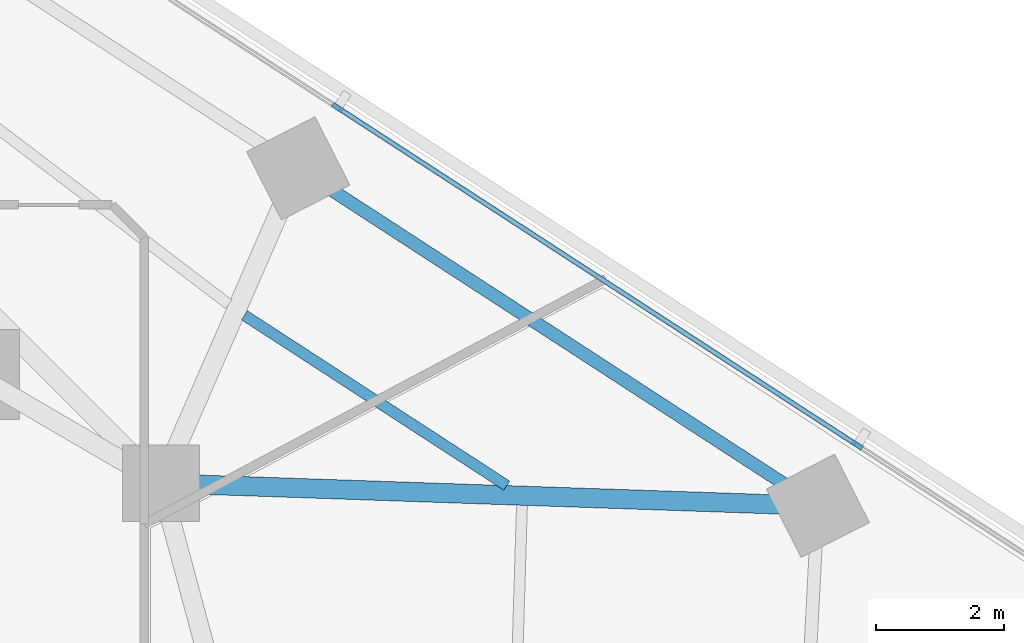
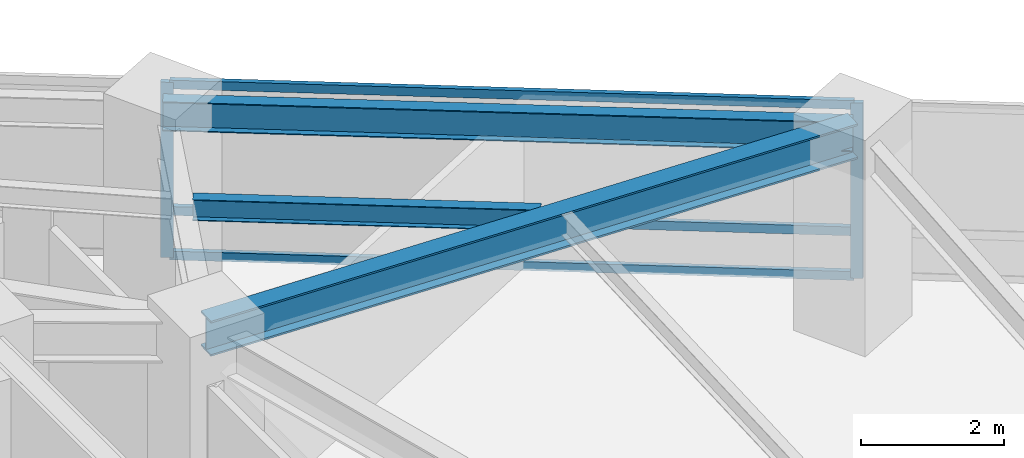
# One storey, part 6 of 14: 5 members, 3 beams, 1 element without a shape of its own.
"""IFC4 building model written with IfcOpenShell, lengths in metres."""

from ifc_helpers import new_model, si_unit, direction, frame, origin, origin_2d, place, context, subcontext, project, spatial, rectangle, i_section, extrude, material, layer, layer_set, material_profile, profile_set, type_object, element, aggregate, save


model = new_model("IFC4")

# Units and contexts
model_context = context("Model", 3, precision=1e-05, world=origin(), true_north=direction((0.0, 1.0)))
body_context = subcontext(model_context, "Body", "Model", "MODEL_VIEW")
ifc_project = project(units=[si_unit("LENGTHUNIT", "METRE"), si_unit("AREAUNIT", "SQUARE_METRE"), si_unit("VOLUMEUNIT", "CUBIC_METRE"), si_unit("PLANEANGLEUNIT", "RADIAN"), si_unit("MASSUNIT", "GRAM", prefix="KILO")], contexts=[model_context])

# Site, building, storey
site_placement = place(None, origin())
site = spatial("IfcSite", under=ifc_project, at=site_placement, CompositionType="ELEMENT")
building_placement = place(site_placement, origin())
building = spatial("IfcBuilding", under=site, at=building_placement, Name="Terralouvre Media Tower", CompositionType="ELEMENT")
storey_placement = place(building_placement, frame((0.0, 0.0, 138.39990234375)))
storey = spatial("IfcBuildingStorey", under=building, at=storey_placement, Name="L35", CompositionType="ELEMENT", Elevation=138.39990234375)

# Beam
ifc_material_1 = material(Name="Structural steel S355J2", Category="steel")
ifc_material_profile_1 = material_profile(ifc_material_1, i_section(OverallWidth=0.169921875, OverallDepth=0.360107421875, WebThickness=0.008056640625, FlangeThickness=0.0126953125, at=origin_2d()), Name="IPE 360")
ifc_profile_set_1 = profile_set([ifc_material_profile_1], Name="Structural steel S355J2")
beam_type_1 = type_object("IfcBeamType", Name="Composite Floor Joist J-IPE360 (IPE 360)", PredefinedType="JOIST", material=ifc_profile_set_1)
beam_1_placement = place(storey_placement, frame((16.31494140625, 6.263916015625, 3.320068359375), z_axis=(-0.838663920822, 0.544649270551, 0.0), x_axis=(-0.544649270551, -0.838663920822, 0.0)))
element("IfcBeam", 1, at=beam_1_placement, inside=storey, type_object=beam_type_1, Name="L35 Framing Beam JT-L35-07", PredefinedType="JOIST", context=body_context, shape_type="SweptSolid", body=[
    extrude(i_section(OverallWidth=0.169921875, OverallDepth=0.360107421875, WebThickness=0.008056640625, FlangeThickness=0.0126953125, at=origin_2d()), origin(), (0.0, 0.0, 1.0), 4.885009765625),
])

# Curtain wall, members
ifc_material_2 = material(Name="Low-iron laminated double glazing with solar-control coating", Category="glass")
ifc_layer = layer(ifc_material_2, 0.1650390625, Name="Production Studio Tower Curtain Wall CW-03")
ifc_layer_set = layer_set([ifc_layer], Name="Low-iron laminated double glazing with solar-control coating")
curtain_wall_type = type_object("IfcCurtainWallType", Name="Production Studio Tower Curtain Wall CW-03", PredefinedType="NOTDEFINED", material=ifc_layer_set)
curtain_wall_placement = place(storey_placement, origin())
curtain_wall = element("IfcCurtainWall", 2, at=curtain_wall_placement, inside=storey, type_object=curtain_wall_type, Name="L35 Facade Curtain Wall F1", PredefinedType="NOTDEFINED")
ifc_material_3 = material(Name="Anodised extruded aluminium 6063-T6", Category="aluminium")
ifc_material_profile_2 = material_profile(ifc_material_3, rectangle(XDim=0.074951171875, YDim=0.14990234375, at=origin_2d()), Name="ALU 75x150")
ifc_profile_set_2 = profile_set([ifc_material_profile_2], Name="Anodised extruded aluminium 6063-T6")
member_type_1 = type_object("IfcMemberType", Name="Curtain-Wall Horizontal Transom TR-150", PredefinedType="USERDEFINED", material=ifc_profile_set_2)
member_1_placement = place(storey_placement, frame((21.760009765625, 6.916259765625, 0.03759765625), z_axis=(-0.838661320759, 0.544653274169, 0.0), x_axis=(-0.544653274169, -0.838661320759, 0.0)))
member_1 = element("IfcMember", 3, at=member_1_placement, type_object=member_type_1, Name="CW-03 transom 2.1", ObjectType="TRANSOM", PredefinedType="USERDEFINED", context=body_context, shape_type="SweptSolid", body=[
    extrude(rectangle(XDim=0.074951171875, YDim=0.14990234375, at=origin_2d()), origin(), (0.0, 0.0, 1.0), 9.60498046875),
])
member_2_placement = place(storey_placement, frame((21.760009765625, 6.916259765625, 0.800048828125), z_axis=(-0.838661320759, 0.544653274169, 0.0), x_axis=(-0.544653274169, -0.838661320759, 0.0)))
member_2 = element("IfcMember", 4, at=member_2_placement, type_object=member_type_1, Name="CW-03 transom 2.2", ObjectType="TRANSOM", PredefinedType="USERDEFINED", context=body_context, shape_type="SweptSolid", body=[
    extrude(rectangle(XDim=0.074951171875, YDim=0.14990234375, at=origin_2d()), origin(), (0.0, 0.0, 1.0), 9.60498046875),
])
member_3_placement = place(storey_placement, frame((21.760009765625, 6.916259765625, 2.962646484375), z_axis=(-0.838661320759, 0.544653274169, 0.0), x_axis=(-0.544653274169, -0.838661320759, 0.0)))
member_3 = element("IfcMember", 5, at=member_3_placement, type_object=member_type_1, Name="CW-03 transom 2.3", ObjectType="TRANSOM", PredefinedType="USERDEFINED", context=body_context, shape_type="SweptSolid", body=[
    extrude(rectangle(XDim=0.074951171875, YDim=0.14990234375, at=origin_2d()), origin(), (0.0, 0.0, 1.0), 9.60498046875),
])
ifc_material_4 = material(Name="Anodised extruded aluminium 6063-T6", Category="aluminium")
ifc_material_profile_3 = material_profile(ifc_material_4, rectangle(XDim=0.074951171875, YDim=0.179931640625, at=origin_2d()), Name="ALU 75x180")
ifc_profile_set_3 = profile_set([ifc_material_profile_3], Name="Anodised extruded aluminium 6063-T6")
member_type_2 = type_object("IfcMemberType", Name="Curtain-Wall Vertical Mullion ML-180", PredefinedType="MULLION", material=ifc_profile_set_3)
member_4_placement = place(storey_placement, frame((21.79150390625, 6.89599609375, 0.0), z_axis=(0.0, 0.0, 1.0), x_axis=(-0.544639002681, -0.838670588944, 0.0)))
member_4 = element("IfcMember", 6, at=member_4_placement, type_object=member_type_2, Name="CW-03 mullion 2", PredefinedType="MULLION", context=body_context, shape_type="SweptSolid", body=[
    extrude(rectangle(XDim=0.074951171875, YDim=0.179931640625, at=origin_2d()), origin(), (0.0, 0.0, 1.0), 3.0),
])
member_5_placement = place(storey_placement, frame((13.673095703125, 12.16796875, 0.0), z_axis=(0.0, 0.0, 1.0), x_axis=(-0.544639002681, -0.838670588944, 0.0)))
member_5 = element("IfcMember", 7, at=member_5_placement, type_object=member_type_2, Name="CW-03 mullion 3", PredefinedType="MULLION", context=body_context, shape_type="SweptSolid", body=[
    extrude(rectangle(XDim=0.074951171875, YDim=0.179931640625, at=origin_2d()), origin(), (0.0, 0.0, 1.0), 3.0),
])
aggregate(curtain_wall, [member_4, member_5, member_1, member_2, member_3])

# Beams
ifc_material_5 = material(Name="Structural steel S355J2", Category="steel")
ifc_material_profile_4 = material_profile(ifc_material_5, i_section(OverallWidth=0.199951171875, OverallDepth=0.5, WebThickness=0.01025390625, FlangeThickness=0.01611328125, at=origin_2d()), Name="IPE 500")
ifc_profile_set_4 = profile_set([ifc_material_profile_4], Name="Structural steel S355J2")
beam_type_2 = type_object("IfcBeamType", Name="Perimeter Spandrel Beam SPB-500 (IPE 500)", PredefinedType="SPANDREL", material=ifc_profile_set_4)
beam_2_placement = place(storey_placement, frame((21.176025390625, 5.9482421875, 3.25), z_axis=(-0.838667695914, 0.54464345753, 0.0), x_axis=(-0.54464345753, -0.838667695914, 0.0)))
element("IfcBeam", 8, at=beam_2_placement, inside=storey, type_object=beam_type_2, Name="L35 Framing Beam BM-L35-PR07", PredefinedType="SPANDREL", context=body_context, shape_type="SweptSolid", body=[
    extrude(i_section(OverallWidth=0.199951171875, OverallDepth=0.5, WebThickness=0.01025390625, FlangeThickness=0.01611328125, at=origin_2d()), origin(), (0.0, 0.0, 1.0), 9.68017578125),
])
ifc_material_6 = material(Name="Structural steel S460M", Category="steel")
ifc_material_profile_5 = material_profile(ifc_material_6, i_section(OverallWidth=0.300048828125, OverallDepth=0.60009765625, WebThickness=0.015380859375, FlangeThickness=0.030029296875, at=origin_2d()), Name="HEB 600")
ifc_profile_set_5 = profile_set([ifc_material_profile_5], Name="Structural steel S460M")
beam_type_3 = type_object("IfcBeamType", Name="Primary Floor Girder B-HEB600 (HEB 600)", PredefinedType="BEAM", material=ifc_profile_set_5)
beam_3_placement = place(storey_placement, frame((10.911865234375, 6.300048828125, 3.2001953125), z_axis=(0.999413120714, -0.034255133128, 0.0), x_axis=(0.034255133128, 0.999413120714, 0.0)))
element("IfcBeam", 9, at=beam_3_placement, inside=storey, type_object=beam_type_3, Name="L35 Framing Beam BM-L35-RD07", PredefinedType="BEAM", context=body_context, shape_type="SweptSolid", body=[
    extrude(i_section(OverallWidth=0.300048828125, OverallDepth=0.60009765625, WebThickness=0.015380859375, FlangeThickness=0.030029296875, at=origin_2d()), origin(), (0.0, 0.0, 1.0), 10.270263671875),
])

save(model, "model.ifc")
